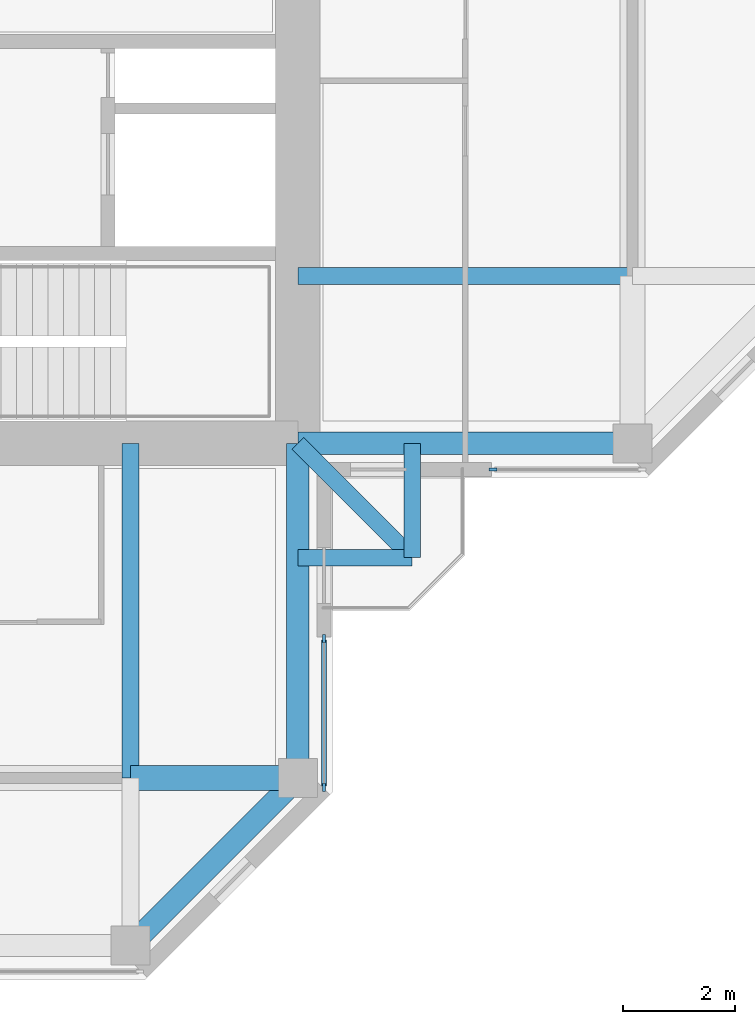
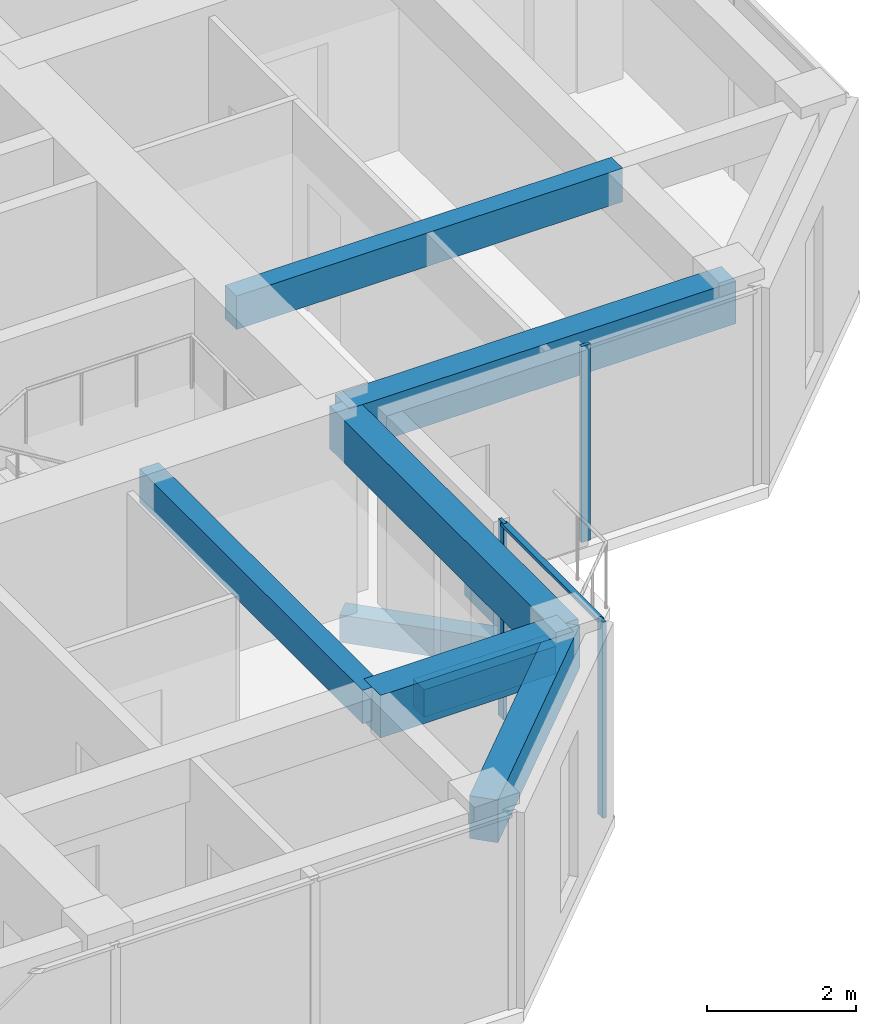
# One storey, part 3 of 13: 9 beams, 4 members, 2 elements without a shape of their own.
"""IFC4 building model written with IfcOpenShell, lengths in metres."""

from ifc_helpers import new_model, si_unit, direction, frame, origin, origin_2d, place, context, subcontext, project, spatial, rectangle, extrude, material, material_profile, profile_set, type_object, element, aggregate, save


model = new_model("IFC4")

# Units and contexts
model_context = context("Model", 3, precision=1e-05, world=origin(), true_north=direction((0.0, 1.0)))
body_context = subcontext(model_context, "Body", "Model", "MODEL_VIEW")
ifc_project = project(units=[si_unit("LENGTHUNIT", "METRE"), si_unit("AREAUNIT", "SQUARE_METRE"), si_unit("VOLUMEUNIT", "CUBIC_METRE"), si_unit("PLANEANGLEUNIT", "RADIAN"), si_unit("MASSUNIT", "GRAM", prefix="KILO")], contexts=[model_context])

# Site, building, storey
site_placement = place(None, origin())
site = spatial("IfcSite", under=ifc_project, at=site_placement, CompositionType="ELEMENT")
building_placement = place(site_placement, origin())
building = spatial("IfcBuilding", under=site, at=building_placement, Name="Torre Cruceta", CompositionType="ELEMENT")
storey_placement = place(building_placement, frame((0.0, 0.0, 281.5)))
storey = spatial("IfcBuildingStorey", under=building, at=storey_placement, Name="L73", CompositionType="ELEMENT", Elevation=281.5)

# Beams
ifc_material_1 = material(Name="Concrete G60 (fck 60 MPa)", Category="concrete")
ifc_material_profile_1 = material_profile(ifc_material_1, rectangle(XDim=0.300048828125, YDim=0.449951171875, at=origin_2d()), Name="RC 300X450")
ifc_profile_set_1 = profile_set([ifc_material_profile_1], Name="Concrete G60 (fck 60 MPa)")
beam_type_1 = type_object("IfcBeamType", Name="BALCONY CANTILEVER BEAM RC 300X450", PredefinedType="BEAM", material=ifc_profile_set_1)
beam_1_placement = place(storey_placement, frame((9.0, -9.0, -0.405029296875), z_axis=(0.707106781187, -0.707106781187, 0.0), x_axis=(0.707106781187, 0.707106781187, 0.0)))
element("IfcBeam", 1, at=beam_1_placement, inside=storey, type_object=beam_type_1, Name="BB1 balcony beam L73 S", PredefinedType="BEAM", context=body_context, shape_type="SweptSolid", body=[
    extrude(rectangle(XDim=0.300048828125, YDim=0.449951171875, at=origin_2d()), origin(), (0.0, 0.0, 1.0), 2.89990234375),
])
for number, where, z_axis, x_axis, name in (
    (2, (11.050537109375, -9.0, -0.405029296875), (0.0, -1.0, 0.0), (1.0, 0.0, 0.0), "BB1 balcony edge beam L73 S-X"),
    (3, (9.0, -11.050537109375, -0.405029296875), (1.0, 0.0, 0.0), (0.0, 1.0, 0.0), "BB1 balcony edge beam L73 S-Y"),
):
    element("IfcBeam", number, at=place(storey_placement, frame(where, z_axis=z_axis, x_axis=x_axis)), inside=storey, type_object=beam_type_1, Name=name, PredefinedType="BEAM", context=body_context, shape_type="SweptSolid", body=[
        extrude(rectangle(XDim=0.300048828125, YDim=0.449951171875, at=origin_2d()), origin(), (0.0, 0.0, 1.0), 2.050537109375),
    ])
ifc_material_2 = material(Name="Concrete G60 (fck 60 MPa)", Category="concrete")
ifc_material_profile_2 = material_profile(ifc_material_2, rectangle(XDim=0.300048828125, YDim=0.550048828125, at=origin_2d()), Name="RC 300X550")
ifc_profile_set_2 = profile_set([ifc_material_profile_2], Name="Concrete G60 (fck 60 MPa)")
beam_type_2 = type_object("IfcBeamType", Name="COLUMN LINE BEAM RC 300X550", PredefinedType="BEAM", material=ifc_profile_set_2)
for number, where, z_axis, x_axis, name in (
    (4, (9.0, -6.0, 2.945068359375), (1.0, 0.0, 0.0), (0.0, 1.0, 0.0), "LB10 L73 E col- 1"),
    (5, (6.0, -9.0, 2.945068359375), (0.0, -1.0, 0.0), (1.0, 0.0, 0.0), "LB10 L73 S col+ 1"),
):
    element("IfcBeam", number, at=place(storey_placement, frame(where, z_axis=z_axis, x_axis=x_axis)), inside=storey, type_object=beam_type_2, Name=name, PredefinedType="BEAM", context=body_context, shape_type="SweptSolid", body=[
        extrude(rectangle(XDim=0.300048828125, YDim=0.550048828125, at=origin_2d()), origin(), (0.0, 0.0, 1.0), 6.0),
    ])
ifc_material_3 = material(Name="Concrete G60 (fck 60 MPa)", Category="concrete")
ifc_material_profile_3 = material_profile(ifc_material_3, rectangle(XDim=0.449951171875, YDim=0.699951171875, at=origin_2d()), Name="RC 450X700")
ifc_profile_set_3 = profile_set([ifc_material_profile_3], Name="Concrete G60 (fck 60 MPa)")
beam_type_3 = type_object("IfcBeamType", Name="CROSS BEAM RC 450X700", PredefinedType="BEAM", material=ifc_profile_set_3)
beam_2_placement = place(storey_placement, frame((6.0, -15.0, 2.8701171875), z_axis=(1.0, 0.0, 0.0), x_axis=(0.0, 1.0, 0.0)))
element("IfcBeam", 6, at=beam_2_placement, inside=storey, type_object=beam_type_3, Name="GB8 L73 S cross15 4", PredefinedType="BEAM", context=body_context, shape_type="SweptSolid", body=[
    extrude(rectangle(XDim=0.449951171875, YDim=0.699951171875, at=origin_2d()), origin(), (0.0, 0.0, 1.0), 3.0),
])

# Curtain wall, member
ifc_material_4 = material(Name="Aluminium unitised curtain wall", Category="aluminium")
curtain_wall_type = type_object("IfcCurtainWallType", Name="CURTAIN WALL CW-E CO-LIVING TOP", PredefinedType="USERDEFINED", material=ifc_material_4)
curtain_wall_1_placement = place(storey_placement, origin())
curtain_wall_1 = element("IfcCurtainWall", 7, at=curtain_wall_1_placement, inside=storey, type_object=curtain_wall_type, Name="CW-E L73 E side 00", ObjectType="UNITISED", PredefinedType="USERDEFINED")
ifc_material_5 = material(Name="Aluminium mullion", Category="aluminium")
ifc_material_profile_4 = material_profile(ifc_material_5, rectangle(XDim=0.054931640625, YDim=0.139892578125, at=origin_2d()), Name="AL 55X140")
ifc_profile_set_4 = profile_set([ifc_material_profile_4], Name="Aluminium mullion")
member_type_1 = type_object("IfcMemberType", Name="CW-E MULLION 55X140", PredefinedType="MULLION", material=ifc_profile_set_4)
member_1_placement = place(storey_placement, frame((12.49755859375, -9.469970703125, 0.0), z_axis=(0.0, 0.0, 1.0), x_axis=(0.0, 1.0, 0.0)))
member_1 = element("IfcMember", 8, at=member_1_placement, type_object=member_type_1, Name="CW-E mullion 1", PredefinedType="MULLION", context=body_context, shape_type="SweptSolid", body=[
    extrude(rectangle(XDim=0.054931640625, YDim=0.139892578125, at=origin_2d()), origin(), (0.0, 0.0, 1.0), 3.219970703125),
])
aggregate(curtain_wall_1, [member_1])

# Curtain wall, members
curtain_wall_2_placement = place(storey_placement, origin())
curtain_wall_2 = element("IfcCurtainWall", 9, at=curtain_wall_2_placement, inside=storey, type_object=curtain_wall_type, Name="CW-E L73 S side 19", ObjectType="UNITISED", PredefinedType="USERDEFINED")
member_2_placement = place(storey_placement, frame((9.469970703125, -15.167236328125, 0.0), z_axis=(0.0, 0.0, 1.0), x_axis=(-1.0, 0.0, 0.0)))
member_2 = element("IfcMember", 10, at=member_2_placement, type_object=member_type_1, Name="CW-E mullion 1", PredefinedType="MULLION", context=body_context, shape_type="SweptSolid", body=[
    extrude(rectangle(XDim=0.054931640625, YDim=0.139892578125, at=origin_2d()), origin(), (0.0, 0.0, 1.0), 3.219970703125),
])
member_3_placement = place(storey_placement, frame((9.469970703125, -12.49755859375, 0.0), z_axis=(0.0, 0.0, 1.0), x_axis=(-1.0, 0.0, 0.0)))
member_3 = element("IfcMember", 11, at=member_3_placement, type_object=member_type_1, Name="CW-E mullion 2", PredefinedType="MULLION", context=body_context, shape_type="SweptSolid", body=[
    extrude(rectangle(XDim=0.054931640625, YDim=0.139892578125, at=origin_2d()), origin(), (0.0, 0.0, 1.0), 3.219970703125),
])
ifc_material_6 = material(Name="Aluminium transom", Category="aluminium")
ifc_material_profile_5 = material_profile(ifc_material_6, rectangle(XDim=0.090087890625, YDim=0.054931640625, at=origin_2d()), Name="AL 90X55")
ifc_profile_set_5 = profile_set([ifc_material_profile_5], Name="Aluminium transom")
member_type_2 = type_object("IfcMemberType", Name="CW-E TRANSOM 55X90", PredefinedType="USERDEFINED", material=ifc_profile_set_5)
member_4_placement = place(storey_placement, frame((9.469970703125, -15.1396484375, 3.1923828125), z_axis=(0.0, 1.0, 0.0), x_axis=(-1.0, 0.0, 0.0)))
member_4 = element("IfcMember", 12, at=member_4_placement, type_object=member_type_2, Name="CW-E transom 1", ObjectType="TRANSOM", PredefinedType="USERDEFINED", context=body_context, shape_type="SweptSolid", body=[
    extrude(rectangle(XDim=0.090087890625, YDim=0.054931640625, at=origin_2d()), origin(), (0.0, 0.0, 1.0), 2.61474609375),
])
aggregate(curtain_wall_2, [member_2, member_3, member_4])

# Beams
ifc_material_7 = material(Name="Concrete G60 (fck 60 MPa)", Category="concrete")
ifc_material_profile_6 = material_profile(ifc_material_7, rectangle(XDim=0.39990234375, YDim=0.699951171875, at=origin_2d()), Name="RC 400X700")
ifc_profile_set_6 = profile_set([ifc_material_profile_6], Name="Concrete G60 (fck 60 MPa)")
beam_type_4 = type_object("IfcBeamType", Name="SPANDREL BEAM RC 400X700", PredefinedType="SPANDREL", material=ifc_profile_set_6)
for number, where, z_axis, x_axis, name in (
    (13, (9.0, -9.0, 2.8701171875), (1.0, 0.0, 0.0), (0.0, 1.0, 0.0), "SB8 L73 E side- 1"),
    (14, (9.0, -9.0, 2.8701171875), (0.0, -1.0, 0.0), (1.0, 0.0, 0.0), "SB8 L73 S side+ 1"),
):
    element("IfcBeam", number, at=place(storey_placement, frame(where, z_axis=z_axis, x_axis=x_axis)), inside=storey, type_object=beam_type_4, Name=name, PredefinedType="SPANDREL", context=body_context, shape_type="SweptSolid", body=[
        extrude(rectangle(XDim=0.39990234375, YDim=0.699951171875, at=origin_2d()), origin(), (0.0, 0.0, 1.0), 6.0),
    ])
beam_3_placement = place(storey_placement, frame((9.0, -15.0, 2.8701171875), z_axis=(-0.707106781187, -0.707106781187, 0.0), x_axis=(0.707106781187, -0.707106781187, 0.0)))
element("IfcBeam", 15, at=beam_3_placement, inside=storey, type_object=beam_type_4, Name="SB8 L73 S side+ 2", PredefinedType="SPANDREL", context=body_context, shape_type="SweptSolid", body=[
    extrude(rectangle(XDim=0.39990234375, YDim=0.699951171875, at=origin_2d()), origin(), (0.0, 0.0, 1.0), 4.24267578125),
])

save(model, "model.ifc")
